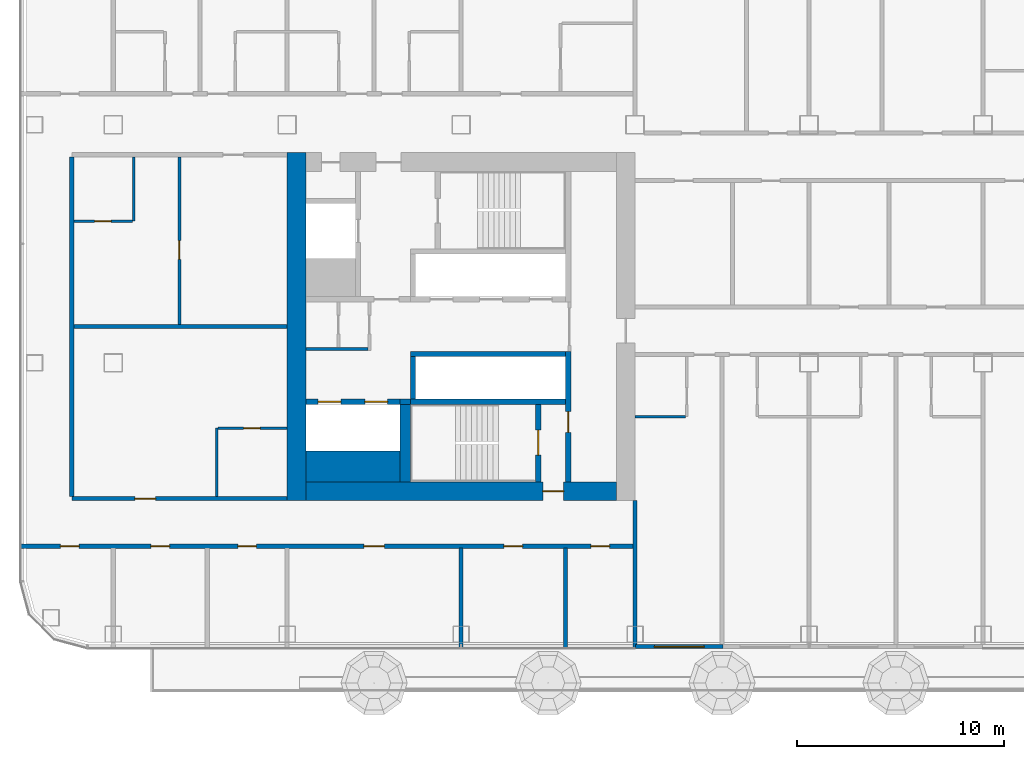
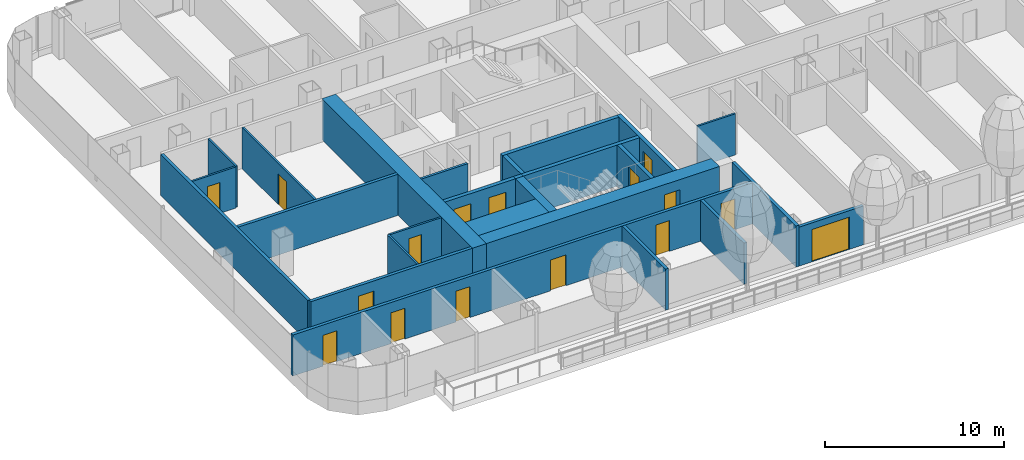
# One storey, part 13 of 34: 26 walls, 16 doors, 16 openings, 1 element without a shape of its own.
"""IFC4 building model written with IfcOpenShell, lengths in metres."""

from ifc_helpers import new_model, si_unit, direction, frame, frame_2d, origin, place, context, subcontext, project, spatial, rectangle, extrude, material, layer, layer_set, type_object, element, fill, aggregate, save


model = new_model("IFC4")

# Units and contexts
model_context = context("Model", 3, precision=1e-05, world=origin(), true_north=direction((0.0, 1.0)))
body_context = subcontext(model_context, "Body", "Model", "MODEL_VIEW")
ifc_project = project(units=[si_unit("LENGTHUNIT", "METRE"), si_unit("AREAUNIT", "SQUARE_METRE"), si_unit("VOLUMEUNIT", "CUBIC_METRE"), si_unit("PLANEANGLEUNIT", "RADIAN"), si_unit("MASSUNIT", "GRAM", prefix="KILO")], contexts=[model_context])

# Site, building, storey
site_placement = place(None, origin())
site = spatial("IfcSite", under=ifc_project, at=site_placement, CompositionType="ELEMENT")
building_placement = place(site_placement, origin())
building = spatial("IfcBuilding", under=site, at=building_placement, Name="Hakoniwa Tower and Hamabe Station Hall", CompositionType="ELEMENT")
storey_placement = place(building_placement, frame((0.0, 0.0, 94.60009765625)))
storey = spatial("IfcBuildingStorey", under=building, at=storey_placement, Name="L26", CompositionType="ELEMENT", Elevation=94.60009765625)

# Wall, opening, door
ifc_material_1 = material(Name="Gypsum board partition", Category="gypsum")
ifc_layer_1 = layer(ifc_material_1, 0.125)
ifc_layer_set_1 = layer_set([ifc_layer_1], Name="Bathroom Partition 125")
wall_type_1 = type_object("IfcWallType", Name="Bathroom Partition 125", PredefinedType="PARTITIONING", material=ifc_layer_set_1)
wall_1_placement = place(storey_placement, frame((-36.9375, -4.89990234375, 0.0), z_axis=(0.0, 0.0, 1.0), x_axis=(1.0, 0.0, 0.0)))
wall_1 = element("IfcWall", 1, at=wall_1_placement, inside=storey, type_object=wall_type_1, Name="GW-L26-005", PredefinedType="PARTITIONING", context=body_context, shape_type="SweptSolid", body=[
    extrude(rectangle(XDim=3.33740234375, YDim=0.125, at=frame_2d((1.668701171875, 0.0))), origin(), (0.0, 0.0, 1.0), 2.7998046875),
])
opening_1_placement = place(wall_1_placement, frame((1.237548828125, 0.0, 0.0)))
opening_1 = element("IfcOpeningElement", 2, at=opening_1_placement, cuts=wall_1, Name="Opening GD-G2B1-15", PredefinedType="OPENING", context=body_context, shape_type="SweptSolid", body=[
    extrude(rectangle(XDim=0.800048828125, YDim=2.10009765625, at=frame_2d((0.39990234375, 1.050048828125))), frame((0.0, 0.072509765625, 0.0), z_axis=(0.0, -1.0, 0.0), x_axis=(1.0, 0.0, 0.0)), (0.0, 0.0, 1.0), 0.14501953125),
])
ifc_material_2 = material(Name="Timber door leaf", Category="wood")
door_type_1 = type_object("IfcDoorType", Name="Bathroom Door 800", OperationType="SINGLE_SWING_LEFT", PredefinedType="DOOR", material=ifc_material_2)
door_1_placement = place(opening_1_placement, origin())
door_1 = element("IfcDoor", 3, at=door_1_placement, inside=storey, type_object=door_type_1, Name="Door GD-G2B1-15", OperationType="SINGLE_SWING_LEFT", OverallHeight=2.10009765625, OverallWidth=0.800048828125, PredefinedType="DOOR", context=body_context, shape_type="SweptSolid", body=[
    extrude(rectangle(XDim=0.800048828125, YDim=2.10009765625, at=frame_2d((0.39990234375, 1.050048828125))), frame((0.0, 0.02490234375, 0.0), z_axis=(0.0, -1.0, 0.0), x_axis=(1.0, 0.0, 0.0)), (0.0, 0.0, 1.0), 0.050048828125),
])
fill(opening_1, door_1)

# Wall
wall_2_placement = place(storey_placement, frame((-16.81005859375, -4.35009765625, 0.0), z_axis=(0.0, 0.0, 1.0), x_axis=(1.0, 0.0, 0.0)))
element("IfcWall", 4, at=wall_2_placement, inside=storey, type_object=wall_type_1, Name="GW-L26-007", PredefinedType="PARTITIONING", context=body_context, shape_type="SweptSolid", body=[
    extrude(rectangle(XDim=2.447509765625, YDim=0.125, at=frame_2d((1.2236328125, 0.0))), origin(), (0.0, 0.0, 1.0), 2.7998046875),
])

# Wall, opening, door
wall_3_placement = place(storey_placement, frame((-43.89990234375, 5.10009765625, 0.0), z_axis=(0.0, 0.0, 1.0), x_axis=(1.0, 0.0, 0.0)))
wall_3 = element("IfcWall", 5, at=wall_3_placement, inside=storey, type_object=wall_type_1, Name="GW-L26-017", PredefinedType="PARTITIONING", context=body_context, shape_type="SweptSolid", body=[
    extrude(rectangle(XDim=2.83740234375, YDim=0.125, at=frame_2d((1.418701171875, 0.0))), origin(), (0.0, 0.0, 1.0), 2.7998046875),
])
opening_2_placement = place(wall_3_placement, frame((1.0, 0.0, 0.0)))
opening_2 = element("IfcOpeningElement", 6, at=opening_2_placement, cuts=wall_3, Name="Opening GD-G2B1-30", PredefinedType="OPENING", context=body_context, shape_type="SweptSolid", body=[
    extrude(rectangle(XDim=0.800048828125, YDim=2.10009765625, at=frame_2d((0.39990234375, 1.050048828125))), frame((0.0, 0.072509765625, 0.0), z_axis=(0.0, -1.0, 0.0), x_axis=(1.0, 0.0, 0.0)), (0.0, 0.0, 1.0), 0.14501953125),
])
door_2_placement = place(opening_2_placement, origin())
door_2 = element("IfcDoor", 7, at=door_2_placement, inside=storey, type_object=door_type_1, Name="Door GD-G2B1-30", OperationType="SINGLE_SWING_LEFT", OverallHeight=2.10009765625, OverallWidth=0.800048828125, PredefinedType="DOOR", context=body_context, shape_type="SweptSolid", body=[
    extrude(rectangle(XDim=0.800048828125, YDim=2.10009765625, at=frame_2d((0.39990234375, 1.050048828125))), frame((0.0, 0.02490234375, 0.0), z_axis=(0.0, -1.0, 0.0), x_axis=(1.0, 0.0, 0.0)), (0.0, 0.0, 1.0), 0.050048828125),
])
fill(opening_2, door_2)

# Walls
wall_4_placement = place(storey_placement, frame((-41.0, 5.10009765625, 0.0), z_axis=(0.0, 0.0, 1.0), x_axis=(0.0, 1.0, 0.0)))
element("IfcWall", 8, at=wall_4_placement, inside=storey, type_object=wall_type_1, Name="GW-L26-034", PredefinedType="PARTITIONING", context=body_context, shape_type="SweptSolid", body=[
    extrude(rectangle(XDim=3.099853515625, YDim=0.125, at=frame_2d((1.5498046875, 0.0))), origin(), (0.0, 0.0, 1.0), 2.7998046875),
])
wall_5_placement = place(storey_placement, frame((-37.0, -8.199951171875, 0.0), z_axis=(0.0, 0.0, 1.0), x_axis=(0.0, 1.0, 0.0)))
element("IfcWall", 9, at=wall_5_placement, inside=storey, type_object=wall_type_1, Name="GW-L26-039", PredefinedType="PARTITIONING", context=body_context, shape_type="SweptSolid", body=[
    extrude(rectangle(XDim=3.300048828125, YDim=0.125, at=frame_2d((1.64990234375, 0.0))), origin(), (0.0, 0.0, 1.0), 2.7998046875),
])
ifc_material_3 = material(Name="Gypsum board partition")
ifc_layer_2 = layer(ifc_material_3, 0.14990234375)
ifc_layer_set_2 = layer_set([ifc_layer_2], Name="CORE PARTITION 150 EI 60")
wall_type_2 = type_object("IfcWallType", Name="CORE PARTITION 150 EI 60", PredefinedType="PARTITIONING", material=ifc_layer_set_2)
wall_6_placement = place(storey_placement, frame((-32.699951171875, -1.074951171875, 0.0), z_axis=(0.0, 0.0, 1.0), x_axis=(1.0, 0.0, 0.0)))
element("IfcWall", 10, at=wall_6_placement, inside=storey, type_object=wall_type_2, Name="Core partition PS west", PredefinedType="PARTITIONING", context=body_context, shape_type="SweptSolid", body=[
    extrude(rectangle(XDim=3.0, YDim=0.14990234375, at=frame_2d((1.5, 0.0))), origin(), (0.0, 0.0, 1.0), 2.7998046875),
])
ifc_material_4 = material(Name="Concrete C72", Category="concrete")
ifc_layer_3 = layer(ifc_material_4, 0.89990234375)
ifc_layer_set_3 = layer_set([ifc_layer_3], Name="CORE WALL 900 C72")
wall_type_3 = type_object("IfcWallType", Name="CORE WALL 900 C72", PredefinedType="SHEAR", material=ifc_layer_set_3)
wall_7_placement = place(storey_placement, frame((-33.14990234375, -8.39990234375, 0.0), z_axis=(0.0, 0.0, 1.0), x_axis=(0.0, 1.0, 0.0)))
element("IfcWall", 11, at=wall_7_placement, inside=storey, type_object=wall_type_3, Name="Core wall OUTER west", PredefinedType="SHEAR", context=body_context, shape_type="SweptSolid", body=[
    extrude(rectangle(XDim=16.7998046875, YDim=0.89990234375, at=frame_2d((8.39990234375, 0.0))), origin(), (0.0, 0.0, 1.0), 2.7998046875),
])

# Wall, opening, door
wall_8_placement = place(storey_placement, frame((-32.699951171875, -7.949951171875, 0.0), z_axis=(0.0, 0.0, 1.0), x_axis=(1.0, 0.0, 0.0)))
wall_8 = element("IfcWall", 12, at=wall_8_placement, inside=storey, type_object=wall_type_3, Name="Core wall SOUTH west", PredefinedType="SHEAR", context=body_context, shape_type="SweptSolid", body=[
    extrude(rectangle(XDim=15.0, YDim=0.89990234375, at=frame_2d((7.5, 0.0))), origin(), (0.0, 0.0, 1.0), 2.7998046875),
])
opening_3_placement = place(wall_8_placement, frame((11.449951171875, 0.0, 0.0)))
opening_3 = element("IfcOpeningElement", 13, at=opening_3_placement, cuts=wall_8, Name="Opening CD-W-FS3-10", PredefinedType="OPENING", context=body_context, shape_type="SweptSolid", body=[
    extrude(rectangle(XDim=1.0, YDim=2.10009765625, at=frame_2d((0.5, 1.050048828125))), frame((0.0, 0.4599609375, 0.0), z_axis=(0.0, -1.0, 0.0), x_axis=(1.0, 0.0, 0.0)), (0.0, 0.0, 1.0), 0.919921875),
])
ifc_material_5 = material(Name="Steel fire door", Category="steel")
door_type_2 = type_object("IfcDoorType", Name="CORE DOOR 1000 FD60", OperationType="NOTDEFINED", PredefinedType="DOOR", material=ifc_material_5)
door_3_placement = place(opening_3_placement, origin())
door_3 = element("IfcDoor", 14, at=door_3_placement, inside=storey, type_object=door_type_2, Name="Stair vestibule door", OperationType="SINGLE_SWING_LEFT", OverallHeight=2.10009765625, OverallWidth=1.0, PredefinedType="DOOR", context=body_context, shape_type="SweptSolid", body=[
    extrude(rectangle(XDim=1.0, YDim=2.10009765625, at=frame_2d((0.5, 1.050048828125))), frame((0.0, 0.02490234375, 0.0), z_axis=(0.0, -1.0, 0.0), x_axis=(1.0, 0.0, 0.0)), (0.0, 0.0, 1.0), 0.050048828125),
])
fill(opening_3, door_3)

# Wall
ifc_material_6 = material(Name="Concrete C72", Category="concrete")
ifc_layer_4 = layer(ifc_material_6, 1.5)
ifc_layer_set_4 = layer_set([ifc_layer_4], Name="CORE WEB WALL 1500 C72")
wall_type_4 = type_object("IfcWallType", Name="CORE WEB WALL 1500 C72", PredefinedType="SHEAR", material=ifc_layer_set_4)
wall_9_placement = place(storey_placement, frame((-32.699951171875, -6.75, 0.0), z_axis=(0.0, 0.0, 1.0), x_axis=(1.0, 0.0, 0.0)))
element("IfcWall", 15, at=wall_9_placement, inside=storey, type_object=wall_type_4, Name="Core wall SER west", PredefinedType="SHEAR", context=body_context, shape_type="SweptSolid", body=[
    extrude(rectangle(XDim=4.550048828125, YDim=1.5, at=frame_2d((2.27490234375, 0.0))), origin(), (0.0, 0.0, 1.0), 2.7998046875),
])

# Wall, opening, door
ifc_material_7 = material(Name="Concrete C72", Category="concrete")
ifc_layer_5 = layer(ifc_material_7, 0.25)
ifc_layer_set_5 = layer_set([ifc_layer_5], Name="CORE WEB WALL 250 C72")
wall_type_5 = type_object("IfcWallType", Name="CORE WEB WALL 250 C72", PredefinedType="SHEAR", material=ifc_layer_set_5)
wall_10_placement = place(storey_placement, frame((-20.02490234375, -7.5, 0.0), z_axis=(0.0, 0.0, 1.0), x_axis=(0.0, 1.0, 0.0)))
wall_10 = element("IfcWall", 16, at=wall_10_placement, inside=storey, type_object=wall_type_5, Name="Core wall W1S west", PredefinedType="SHEAR", context=body_context, shape_type="SweptSolid", body=[
    extrude(rectangle(XDim=6.300048828125, YDim=0.25, at=frame_2d((3.14990234375, 0.0))), origin(), (0.0, 0.0, 1.0), 2.7998046875),
])
opening_4_placement = place(wall_10_placement, frame((2.39990234375, 0.0, 0.0)))
opening_4 = element("IfcOpeningElement", 17, at=opening_4_placement, cuts=wall_10, Name="Opening CD-W-VS-10", PredefinedType="OPENING", context=body_context, shape_type="SweptSolid", body=[
    extrude(rectangle(XDim=1.0, YDim=2.10009765625, at=frame_2d((0.5, 1.050048828125))), frame((0.0, 0.135009765625, 0.0), z_axis=(0.0, -1.0, 0.0), x_axis=(1.0, 0.0, 0.0)), (0.0, 0.0, 1.0), 0.27001953125),
])
door_4_placement = place(opening_4_placement, origin())
door_4 = element("IfcDoor", 18, at=door_4_placement, inside=storey, type_object=door_type_2, Name="Stair vestibule door", OperationType="SINGLE_SWING_LEFT", OverallHeight=2.10009765625, OverallWidth=1.0, PredefinedType="DOOR", context=body_context, shape_type="SweptSolid", body=[
    extrude(rectangle(XDim=1.0, YDim=2.10009765625, at=frame_2d((0.5, 1.050048828125))), frame((0.0, 0.02490234375, 0.0), z_axis=(0.0, -1.0, 0.0), x_axis=(1.0, 0.0, 0.0)), (0.0, 0.0, 1.0), 0.050048828125),
])
fill(opening_4, door_4)

# Walls
wall_11_placement = place(storey_placement, frame((-27.64990234375, -1.324951171875, 0.0), z_axis=(0.0, 0.0, 1.0), x_axis=(1.0, 0.0, 0.0)))
element("IfcWall", 19, at=wall_11_placement, inside=storey, type_object=wall_type_5, Name="Core wall SF west", PredefinedType="SHEAR", context=body_context, shape_type="SweptSolid", body=[
    extrude(rectangle(XDim=7.5, YDim=0.25, at=frame_2d((3.75, 0.0))), origin(), (0.0, 0.0, 1.0), 2.7998046875),
])
wall_12_placement = place(storey_placement, frame((-27.52490234375, -3.5, 0.0), z_axis=(0.0, 0.0, 1.0), x_axis=(0.0, 1.0, 0.0)))
element("IfcWall", 20, at=wall_12_placement, inside=storey, type_object=wall_type_5, Name="Core wall SE west", PredefinedType="SHEAR", context=body_context, shape_type="SweptSolid", body=[
    extrude(rectangle(XDim=2.050048828125, YDim=0.25, at=frame_2d((1.02490234375, 0.0))), origin(), (0.0, 0.0, 1.0), 2.7998046875),
])
wall_13_placement = place(storey_placement, frame((-27.64990234375, -3.625, 0.0), z_axis=(0.0, 0.0, 1.0), x_axis=(1.0, 0.0, 0.0)))
element("IfcWall", 21, at=wall_13_placement, inside=storey, type_object=wall_type_5, Name="Core wall SR west", PredefinedType="SHEAR", context=body_context, shape_type="SweptSolid", body=[
    extrude(rectangle(XDim=7.5, YDim=0.25, at=frame_2d((3.75, 0.0))), origin(), (0.0, 0.0, 1.0), 2.7998046875),
])

# Wall, opening, door
wall_14_placement = place(storey_placement, frame((-21.47509765625, -7.5, 0.0), z_axis=(0.0, 0.0, 1.0), x_axis=(0.0, 1.0, 0.0)))
wall_14 = element("IfcWall", 22, at=wall_14_placement, inside=storey, type_object=wall_type_5, Name="Core wall VE west", PredefinedType="SHEAR", context=body_context, shape_type="SweptSolid", body=[
    extrude(rectangle(XDim=3.75, YDim=0.25, at=frame_2d((1.875, 0.0))), origin(), (0.0, 0.0, 1.0), 2.7998046875),
])
opening_5_placement = place(wall_14_placement, frame((1.300048828125, 0.0, 0.0)))
opening_5 = element("IfcOpeningElement", 23, at=opening_5_placement, cuts=wall_14, Name="Opening CD-W-SS-12", PredefinedType="OPENING", context=body_context, shape_type="SweptSolid", body=[
    extrude(rectangle(XDim=1.199951171875, YDim=2.10009765625, at=frame_2d((0.60009765625, 1.050048828125))), frame((0.0, 0.135009765625, 0.0), z_axis=(0.0, -1.0, 0.0), x_axis=(1.0, 0.0, 0.0)), (0.0, 0.0, 1.0), 0.27001953125),
])
ifc_material_8 = material(Name="Steel fire door", Category="steel")
door_type_3 = type_object("IfcDoorType", Name="CORE DOOR 1200 FD60", OperationType="DOUBLE_DOOR_SINGLE_SWING", PredefinedType="DOOR", material=ifc_material_8)
door_5_placement = place(opening_5_placement, origin())
door_5 = element("IfcDoor", 24, at=door_5_placement, inside=storey, type_object=door_type_3, Name="Escape stair door", OperationType="DOUBLE_DOOR_SINGLE_SWING", OverallHeight=2.10009765625, OverallWidth=1.199951171875, PredefinedType="DOOR", context=body_context, shape_type="SweptSolid", body=[
    extrude(rectangle(XDim=1.199951171875, YDim=2.10009765625, at=frame_2d((0.60009765625, 1.050048828125))), frame((0.0, 0.02490234375, 0.0), z_axis=(0.0, -1.0, 0.0), x_axis=(1.0, 0.0, 0.0)), (0.0, 0.0, 1.0), 0.050048828125),
])
fill(opening_5, door_5)

# Wall, openings, doors
wall_15_placement = place(storey_placement, frame((-32.699951171875, -3.625, 0.0), z_axis=(0.0, 0.0, 1.0), x_axis=(1.0, 0.0, 0.0)))
wall_15 = element("IfcWall", 25, at=wall_15_placement, inside=storey, type_object=wall_type_5, Name="Core wall SEF west", PredefinedType="SHEAR", context=body_context, shape_type="SweptSolid", body=[
    extrude(rectangle(XDim=4.550048828125, YDim=0.25, at=frame_2d((2.27490234375, 0.0))), origin(), (0.0, 0.0, 1.0), 2.7998046875),
])
opening_6_placement = place(wall_15_placement, frame((2.85009765625, 0.0, 0.0)))
opening_6 = element("IfcOpeningElement", 26, at=opening_6_placement, cuts=wall_15, Name="Opening LD-SV1", PredefinedType="OPENING", context=body_context, shape_type="SweptSolid", body=[
    extrude(rectangle(XDim=1.10009765625, YDim=2.10009765625, at=frame_2d((0.550048828125, 1.050048828125))), frame((0.0, 0.135009765625, 0.0), z_axis=(0.0, -1.0, 0.0), x_axis=(1.0, 0.0, 0.0)), (0.0, 0.0, 1.0), 0.27001953125),
])
opening_7_placement = place(wall_15_placement, frame((0.60009765625, 0.0, 0.0)))
opening_7 = element("IfcOpeningElement", 27, at=opening_7_placement, cuts=wall_15, Name="Opening LD-SV2", PredefinedType="OPENING", context=body_context, shape_type="SweptSolid", body=[
    extrude(rectangle(XDim=1.10009765625, YDim=2.10009765625, at=frame_2d((0.550048828125, 1.050048828125))), frame((0.0, 0.135009765625, 0.0), z_axis=(0.0, -1.0, 0.0), x_axis=(1.0, 0.0, 0.0)), (0.0, 0.0, 1.0), 0.27001953125),
])
ifc_material_9 = material(Name="Stainless steel SUS304", Category="steel")
door_type_4 = type_object("IfcDoorType", Name="LIFT LANDING DOOR 1100 FD60", OperationType="DOUBLE_DOOR_SLIDING", PredefinedType="DOOR", material=ifc_material_9)
door_6_placement = place(opening_6_placement, origin())
door_6 = element("IfcDoor", 28, at=door_6_placement, inside=storey, type_object=door_type_4, Name="Lift landing door SV1 L26", OperationType="DOUBLE_DOOR_SLIDING", OverallHeight=2.10009765625, OverallWidth=1.10009765625, PredefinedType="DOOR", context=body_context, shape_type="SweptSolid", body=[
    extrude(rectangle(XDim=1.10009765625, YDim=2.10009765625, at=frame_2d((0.550048828125, 1.050048828125))), frame((0.0, 0.02490234375, 0.0), z_axis=(0.0, -1.0, 0.0), x_axis=(1.0, 0.0, 0.0)), (0.0, 0.0, 1.0), 0.050048828125),
])
fill(opening_6, door_6)
door_7_placement = place(opening_7_placement, origin())
door_7 = element("IfcDoor", 29, at=door_7_placement, inside=storey, type_object=door_type_4, Name="Lift landing door SV2 L26", OperationType="DOUBLE_DOOR_SLIDING", OverallHeight=2.10009765625, OverallWidth=1.10009765625, PredefinedType="DOOR", context=body_context, shape_type="SweptSolid", body=[
    extrude(rectangle(XDim=1.10009765625, YDim=2.10009765625, at=frame_2d((0.550048828125, 1.050048828125))), frame((0.0, 0.02490234375, 0.0), z_axis=(0.0, -1.0, 0.0), x_axis=(1.0, 0.0, 0.0)), (0.0, 0.0, 1.0), 0.050048828125),
])
fill(opening_7, door_7)

# Walls
wall_16_placement = place(storey_placement, frame((-28.14990234375, -3.625, 0.0), z_axis=(0.0, 0.0, 1.0), x_axis=(1.0, 0.0, 0.0)))
element("IfcWall", 30, at=wall_16_placement, inside=storey, type_object=wall_type_5, Name="Core wall SRK west", PredefinedType="SHEAR", context=body_context, shape_type="SweptSolid", body=[
    extrude(rectangle(XDim=0.5, YDim=0.25, at=frame_2d((0.25, 0.0))), origin(), (0.0, 0.0, 1.0), 2.7998046875),
])
ifc_material_10 = material(Name="Concrete C72", Category="concrete")
ifc_layer_6 = layer(ifc_material_10, 0.5)
ifc_layer_set_6 = layer_set([ifc_layer_6], Name="CORE WEB WALL 500 C72")
wall_type_6 = type_object("IfcWallType", Name="CORE WEB WALL 500 C72", PredefinedType="SHEAR", material=ifc_layer_set_6)
wall_17_placement = place(storey_placement, frame((-27.89990234375, -7.5, 0.0), z_axis=(0.0, 0.0, 1.0), x_axis=(0.0, 1.0, 0.0)))
element("IfcWall", 31, at=wall_17_placement, inside=storey, type_object=wall_type_6, Name="Core wall SSE west", PredefinedType="SHEAR", context=body_context, shape_type="SweptSolid", body=[
    extrude(rectangle(XDim=3.75, YDim=0.5, at=frame_2d((1.875, 0.0))), origin(), (0.0, 0.0, 1.0), 2.7998046875),
])

# Wall, openings, doors
ifc_material_11 = material(Name="Fire-rated gypsum board partition", Category="gypsum")
ifc_layer_7 = layer(ifc_material_11, 0.199951171875)
ifc_layer_set_7 = layer_set([ifc_layer_7], Name="Corridor Wall 200")
wall_type_7 = type_object("IfcWallType", Name="Corridor Wall 200", PredefinedType="PARTITIONING", material=ifc_layer_set_7)
wall_18_placement = place(storey_placement, frame((-46.5, -10.60009765625, 0.0), z_axis=(0.0, 0.0, 1.0), x_axis=(1.0, 0.0, 0.0)))
wall_18 = element("IfcWall", 32, at=wall_18_placement, inside=storey, type_object=wall_type_7, Name="GW-L26-001", PredefinedType="PARTITIONING", context=body_context, shape_type="SweptSolid", body=[
    extrude(rectangle(XDim=29.699951171875, YDim=0.199951171875, at=frame_2d((14.85009765625, 0.0))), origin(), (0.0, 0.0, 1.0), 2.7998046875),
])
opening_8_placement = place(wall_18_placement, frame((1.949951171875, 0.0, 0.0)))
opening_8 = element("IfcOpeningElement", 33, at=opening_8_placement, cuts=wall_18, Name="Opening GD-G2B1-01", PredefinedType="OPENING", context=body_context, shape_type="SweptSolid", body=[
    extrude(rectangle(XDim=0.89990234375, YDim=2.10009765625, at=frame_2d((0.449951171875, 1.050048828125))), frame((0.0, 0.10986328125, 0.0), z_axis=(0.0, -1.0, 0.0), x_axis=(1.0, 0.0, 0.0)), (0.0, 0.0, 1.0), 0.219970703125),
])
opening_9_placement = place(wall_18_placement, frame((6.320068359375, 0.0, 0.0)))
opening_9 = element("IfcOpeningElement", 34, at=opening_9_placement, cuts=wall_18, Name="Opening GD-G2B1-02", PredefinedType="OPENING", context=body_context, shape_type="SweptSolid", body=[
    extrude(rectangle(XDim=0.89990234375, YDim=2.10009765625, at=frame_2d((0.449951171875, 1.050048828125))), frame((0.0, 0.10986328125, 0.0), z_axis=(0.0, -1.0, 0.0), x_axis=(1.0, 0.0, 0.0)), (0.0, 0.0, 1.0), 0.219970703125),
])
opening_10_placement = place(wall_18_placement, frame((10.52001953125, 0.0, 0.0)))
opening_10 = element("IfcOpeningElement", 35, at=opening_10_placement, cuts=wall_18, Name="Opening GD-G2B1-03", PredefinedType="OPENING", context=body_context, shape_type="SweptSolid", body=[
    extrude(rectangle(XDim=0.89990234375, YDim=2.10009765625, at=frame_2d((0.449951171875, 1.050048828125))), frame((0.0, 0.10986328125, 0.0), z_axis=(0.0, -1.0, 0.0), x_axis=(1.0, 0.0, 0.0)), (0.0, 0.0, 1.0), 0.219970703125),
])
opening_11_placement = place(wall_18_placement, frame((16.60009765625, 0.0, 0.0)))
opening_11 = element("IfcOpeningElement", 36, at=opening_11_placement, cuts=wall_18, Name="Opening GD-G2B1-04", PredefinedType="OPENING", context=body_context, shape_type="SweptSolid", body=[
    extrude(rectangle(XDim=1.0, YDim=2.10009765625, at=frame_2d((0.5, 1.050048828125))), frame((0.0, 0.10986328125, 0.0), z_axis=(0.0, -1.0, 0.0), x_axis=(1.0, 0.0, 0.0)), (0.0, 0.0, 1.0), 0.219970703125),
])
opening_12_placement = place(wall_18_placement, frame((23.3701171875, 0.0, 0.0)))
opening_12 = element("IfcOpeningElement", 37, at=opening_12_placement, cuts=wall_18, Name="Opening GD-G2B1-05", PredefinedType="OPENING", context=body_context, shape_type="SweptSolid", body=[
    extrude(rectangle(XDim=0.89990234375, YDim=2.10009765625, at=frame_2d((0.449951171875, 1.050048828125))), frame((0.0, 0.10986328125, 0.0), z_axis=(0.0, -1.0, 0.0), x_axis=(1.0, 0.0, 0.0)), (0.0, 0.0, 1.0), 0.219970703125),
])
opening_13_placement = place(wall_18_placement, frame((27.570068359375, 0.0, 0.0)))
opening_13 = element("IfcOpeningElement", 38, at=opening_13_placement, cuts=wall_18, Name="Opening GD-G2B1-06", PredefinedType="OPENING", context=body_context, shape_type="SweptSolid", body=[
    extrude(rectangle(XDim=0.89990234375, YDim=2.10009765625, at=frame_2d((0.449951171875, 1.050048828125))), frame((0.0, 0.10986328125, 0.0), z_axis=(0.0, -1.0, 0.0), x_axis=(1.0, 0.0, 0.0)), (0.0, 0.0, 1.0), 0.219970703125),
])
ifc_material_12 = material(Name="Timber door leaf", Category="wood")
door_type_5 = type_object("IfcDoorType", Name="Guest Entrance Door 1000", OperationType="SINGLE_SWING_LEFT", PredefinedType="DOOR", material=ifc_material_12)
door_8_placement = place(opening_11_placement, origin())
door_8 = element("IfcDoor", 39, at=door_8_placement, inside=storey, type_object=door_type_5, Name="Door GD-G2B1-04", OperationType="SINGLE_SWING_LEFT", OverallHeight=2.10009765625, OverallWidth=1.0, PredefinedType="DOOR", context=body_context, shape_type="SweptSolid", body=[
    extrude(rectangle(XDim=1.0, YDim=2.10009765625, at=frame_2d((0.5, 1.050048828125))), frame((0.0, 0.02490234375, 0.0), z_axis=(0.0, -1.0, 0.0), x_axis=(1.0, 0.0, 0.0)), (0.0, 0.0, 1.0), 0.050048828125),
])
fill(opening_11, door_8)
ifc_material_13 = material(Name="Timber door leaf", Category="wood")
door_type_6 = type_object("IfcDoorType", Name="Service Door 900", OperationType="SINGLE_SWING_LEFT", PredefinedType="DOOR", material=ifc_material_13)
door_9_placement = place(opening_8_placement, origin())
door_9 = element("IfcDoor", 40, at=door_9_placement, inside=storey, type_object=door_type_6, Name="Door GD-G2B1-01", OperationType="SINGLE_SWING_RIGHT", OverallHeight=2.10009765625, OverallWidth=0.89990234375, PredefinedType="DOOR", context=body_context, shape_type="SweptSolid", body=[
    extrude(rectangle(XDim=0.89990234375, YDim=2.10009765625, at=frame_2d((0.449951171875, 1.050048828125))), frame((0.0, 0.02490234375, 0.0), z_axis=(0.0, -1.0, 0.0), x_axis=(1.0, 0.0, 0.0)), (0.0, 0.0, 1.0), 0.050048828125),
])
fill(opening_8, door_9)
door_10_placement = place(opening_9_placement, origin())
door_10 = element("IfcDoor", 41, at=door_10_placement, inside=storey, type_object=door_type_6, Name="Door GD-G2B1-02", OperationType="SINGLE_SWING_LEFT", OverallHeight=2.10009765625, OverallWidth=0.89990234375, PredefinedType="DOOR", context=body_context, shape_type="SweptSolid", body=[
    extrude(rectangle(XDim=0.89990234375, YDim=2.10009765625, at=frame_2d((0.449951171875, 1.050048828125))), frame((0.0, 0.02490234375, 0.0), z_axis=(0.0, -1.0, 0.0), x_axis=(1.0, 0.0, 0.0)), (0.0, 0.0, 1.0), 0.050048828125),
])
fill(opening_9, door_10)
door_11_placement = place(opening_10_placement, origin())
door_11 = element("IfcDoor", 42, at=door_11_placement, inside=storey, type_object=door_type_6, Name="Door GD-G2B1-03", OperationType="SINGLE_SWING_RIGHT", OverallHeight=2.10009765625, OverallWidth=0.89990234375, PredefinedType="DOOR", context=body_context, shape_type="SweptSolid", body=[
    extrude(rectangle(XDim=0.89990234375, YDim=2.10009765625, at=frame_2d((0.449951171875, 1.050048828125))), frame((0.0, 0.02490234375, 0.0), z_axis=(0.0, -1.0, 0.0), x_axis=(1.0, 0.0, 0.0)), (0.0, 0.0, 1.0), 0.050048828125),
])
fill(opening_10, door_11)
door_12_placement = place(opening_12_placement, origin())
door_12 = element("IfcDoor", 43, at=door_12_placement, inside=storey, type_object=door_type_6, Name="Door GD-G2B1-05", OperationType="SINGLE_SWING_RIGHT", OverallHeight=2.10009765625, OverallWidth=0.89990234375, PredefinedType="DOOR", context=body_context, shape_type="SweptSolid", body=[
    extrude(rectangle(XDim=0.89990234375, YDim=2.10009765625, at=frame_2d((0.449951171875, 1.050048828125))), frame((0.0, 0.02490234375, 0.0), z_axis=(0.0, -1.0, 0.0), x_axis=(1.0, 0.0, 0.0)), (0.0, 0.0, 1.0), 0.050048828125),
])
fill(opening_12, door_12)
door_13_placement = place(opening_13_placement, origin())
door_13 = element("IfcDoor", 44, at=door_13_placement, inside=storey, type_object=door_type_6, Name="Door GD-G2B1-06", OperationType="SINGLE_SWING_LEFT", OverallHeight=2.10009765625, OverallWidth=0.89990234375, PredefinedType="DOOR", context=body_context, shape_type="SweptSolid", body=[
    extrude(rectangle(XDim=0.89990234375, YDim=2.10009765625, at=frame_2d((0.449951171875, 1.050048828125))), frame((0.0, 0.02490234375, 0.0), z_axis=(0.0, -1.0, 0.0), x_axis=(1.0, 0.0, 0.0)), (0.0, 0.0, 1.0), 0.050048828125),
])
fill(opening_13, door_13)

# Wall, opening, door
wall_19_placement = place(storey_placement, frame((-44.0, -8.300048828125, 0.0), z_axis=(0.0, 0.0, 1.0), x_axis=(1.0, 0.0, 0.0)))
wall_19 = element("IfcWall", 45, at=wall_19_placement, inside=storey, type_object=wall_type_7, Name="GW-L26-003", PredefinedType="PARTITIONING", context=body_context, shape_type="SweptSolid", body=[
    extrude(rectangle(XDim=10.39990234375, YDim=0.199951171875, at=frame_2d((5.199951171875, 0.0))), origin(), (0.0, 0.0, 1.0), 2.7998046875),
])
opening_14_placement = place(wall_19_placement, frame((3.050048828125, 0.0, 0.0)))
opening_14 = element("IfcOpeningElement", 46, at=opening_14_placement, cuts=wall_19, Name="Opening GD-G2B1-13", PredefinedType="OPENING", context=body_context, shape_type="SweptSolid", body=[
    extrude(rectangle(XDim=1.0, YDim=2.10009765625, at=frame_2d((0.5, 1.050048828125))), frame((0.0, 0.10986328125, 0.0), z_axis=(0.0, -1.0, 0.0), x_axis=(1.0, 0.0, 0.0)), (0.0, 0.0, 1.0), 0.219970703125),
])
door_14_placement = place(opening_14_placement, origin())
door_14 = element("IfcDoor", 47, at=door_14_placement, inside=storey, type_object=door_type_5, Name="Door GD-G2B1-13", OperationType="SINGLE_SWING_RIGHT", OverallHeight=2.10009765625, OverallWidth=1.0, PredefinedType="DOOR", context=body_context, shape_type="SweptSolid", body=[
    extrude(rectangle(XDim=1.0, YDim=2.10009765625, at=frame_2d((0.5, 1.050048828125))), frame((0.0, 0.02490234375, 0.0), z_axis=(0.0, -1.0, 0.0), x_axis=(1.0, 0.0, 0.0)), (0.0, 0.0, 1.0), 0.050048828125),
])
fill(opening_14, door_14)

# Curtain wall, wall, opening, door
ifc_material_14 = material(Name="Dark low-e laminated glass", Category="glass")
ifc_layer_8 = layer(ifc_material_14, 0.199951171875)
ifc_layer_set_8 = layer_set([ifc_layer_8], Name="CW-1 UNITISED GUEST")
curtain_wall_type = type_object("IfcCurtainWallType", Name="CW-1 UNITISED GUEST", PredefinedType="NOTDEFINED", material=ifc_layer_set_8)
curtain_wall_placement = place(storey_placement, origin())
curtain_wall = element("IfcCurtainWall", 48, at=curtain_wall_placement, inside=storey, type_object=curtain_wall_type, Name="CW-1 curtain wall", PredefinedType="NOTDEFINED")
ifc_material_15 = material(Name="Dark glass-faced aluminium panel", Category="aluminium")
ifc_layer_9 = layer(ifc_material_15, 0.199951171875)
ifc_layer_set_9 = layer_set([ifc_layer_9], Name="DOOR BAY WALL")
wall_type_8 = type_object("IfcWallType", Name="DOOR BAY WALL", PredefinedType="NOTDEFINED", material=ifc_layer_set_9)
wall_20_placement = place(storey_placement, frame((-16.780029296875, -15.449951171875, 0.0), z_axis=(0.0, 0.0, 1.0), x_axis=(1.0, 0.0, 0.0)))
wall_20 = element("IfcWall", 49, at=wall_20_placement, type_object=wall_type_8, Name="Door bay wall", PredefinedType="NOTDEFINED", context=body_context, shape_type="SweptSolid", body=[
    extrude(rectangle(XDim=4.219970703125, YDim=0.199951171875, at=frame_2d((2.10986328125, 0.0))), origin(), (0.0, 0.0, 1.0), 2.64990234375),
])
opening_15_placement = place(wall_20_placement, frame((0.909912109375, 0.0, 0.0)))
opening_15 = element("IfcOpeningElement", 50, at=opening_15_placement, cuts=wall_20, Name="Opening BD-S07-5", PredefinedType="OPENING", context=body_context, shape_type="SweptSolid", body=[
    extrude(rectangle(XDim=2.39990234375, YDim=2.199951171875, at=frame_2d((1.199951171875, 1.10009765625))), frame((0.0, 0.10986328125, 0.0), z_axis=(0.0, -1.0, 0.0), x_axis=(1.0, 0.0, 0.0)), (0.0, 0.0, 1.0), 0.219970703125),
])
ifc_material_16 = material(Name="Dark low-e laminated glass", Category="glass")
door_type_7 = type_object("IfcDoorType", Name="BALCONY SLIDING DOOR 2400X2200", OperationType="SLIDING_TO_LEFT", PredefinedType="DOOR", material=ifc_material_16)
door_15_placement = place(opening_15_placement, frame((2.39990234375, 0.0, 0.0), z_axis=(0.0, 0.0, 1.0), x_axis=(-1.0, 0.0, 0.0)))
door_15 = element("IfcDoor", 51, at=door_15_placement, inside=storey, type_object=door_type_7, Name="Balcony sliding door", OperationType="SLIDING_TO_LEFT", OverallHeight=2.199951171875, OverallWidth=2.39990234375, PredefinedType="DOOR", context=body_context, shape_type="SweptSolid", body=[
    extrude(rectangle(XDim=2.39990234375, YDim=2.199951171875, at=frame_2d((1.199951171875, 1.10009765625))), frame((0.0, 0.02490234375, 0.0), z_axis=(0.0, -1.0, 0.0), x_axis=(1.0, 0.0, 0.0)), (0.0, 0.0, 1.0), 0.050048828125),
])
fill(opening_15, door_15)
aggregate(curtain_wall, [wall_20])

# Walls
ifc_material_17 = material(Name="Fire-rated gypsum board partition", Category="gypsum")
ifc_layer_10 = layer(ifc_material_17, 0.199951171875)
ifc_layer_set_10 = layer_set([ifc_layer_10], Name="Party Wall 200")
wall_type_9 = type_object("IfcWallType", Name="Party Wall 200", PredefinedType="PARTITIONING", material=ifc_layer_set_10)
wall_21_placement = place(storey_placement, frame((-43.89990234375, 0.0, 0.0), z_axis=(0.0, 0.0, 1.0), x_axis=(1.0, 0.0, 0.0)))
element("IfcWall", 52, at=wall_21_placement, inside=storey, type_object=wall_type_9, Name="GW-L26-013", PredefinedType="PARTITIONING", context=body_context, shape_type="SweptSolid", body=[
    extrude(rectangle(XDim=10.2998046875, YDim=0.199951171875, at=frame_2d((5.14990234375, 0.0))), origin(), (0.0, 0.0, 1.0), 2.7998046875),
])
wall_22_placement = place(storey_placement, frame((-44.0, -8.199951171875, 0.0), z_axis=(0.0, 0.0, 1.0), x_axis=(0.0, 1.0, 0.0)))
element("IfcWall", 53, at=wall_22_placement, inside=storey, type_object=wall_type_9, Name="GW-L26-031", PredefinedType="PARTITIONING", context=body_context, shape_type="SweptSolid", body=[
    extrude(rectangle(XDim=16.39990234375, YDim=0.199951171875, at=frame_2d((8.199951171875, 0.0))), origin(), (0.0, 0.0, 1.0), 2.7998046875),
])
for number, where, z_axis, x_axis, name in (
    (54, (-25.199951171875, -15.550048828125, 0.0), (0.0, 0.0, 1.0), (0.0, 1.0, 0.0), "GW-L26-046"),
    (55, (-20.159912109375, -15.550048828125, 0.0), (0.0, 0.0, 1.0), (0.0, 1.0, 0.0), "GW-L26-049"),
):
    element("IfcWall", number, at=place(storey_placement, frame(where, z_axis=z_axis, x_axis=x_axis)), inside=storey, type_object=wall_type_9, Name=name, PredefinedType="PARTITIONING", context=body_context, shape_type="SweptSolid", body=[
        extrude(rectangle(XDim=4.85009765625, YDim=0.199951171875, at=frame_2d((2.425048828125, 0.0))), origin(), (0.0, 0.0, 1.0), 2.7998046875),
    ])
wall_23_placement = place(storey_placement, frame((-16.800048828125, -15.550048828125, 0.0), z_axis=(0.0, 0.0, 1.0), x_axis=(0.0, 1.0, 0.0)))
element("IfcWall", 56, at=wall_23_placement, inside=storey, type_object=wall_type_9, Name="GW-L26-050", PredefinedType="PARTITIONING", context=body_context, shape_type="SweptSolid", body=[
    extrude(rectangle(XDim=7.16015625, YDim=0.199951171875, at=frame_2d((3.580078125, 0.0))), origin(), (0.0, 0.0, 1.0), 2.7998046875),
])

# Wall, opening, door
ifc_material_18 = material(Name="Gypsum board partition", Category="gypsum")
ifc_layer_11 = layer(ifc_material_18, 0.125)
ifc_layer_set_11 = layer_set([ifc_layer_11], Name="Room Partition 125")
wall_type_10 = type_object("IfcWallType", Name="Room Partition 125", PredefinedType="PARTITIONING", material=ifc_layer_set_11)
wall_24_placement = place(storey_placement, frame((-38.800048828125, 0.10009765625, 0.0), z_axis=(0.0, 0.0, 1.0), x_axis=(0.0, 1.0, 0.0)))
wall_24 = element("IfcWall", 57, at=wall_24_placement, inside=storey, type_object=wall_type_10, Name="GW-L26-036", PredefinedType="PARTITIONING", context=body_context, shape_type="SweptSolid", body=[
    extrude(rectangle(XDim=8.099853515625, YDim=0.125, at=frame_2d((4.0498046875, 0.0))), origin(), (0.0, 0.0, 1.0), 2.7998046875),
])
opening_16_placement = place(wall_24_placement, frame((3.14990234375, 0.0, 0.0)))
opening_16 = element("IfcOpeningElement", 58, at=opening_16_placement, cuts=wall_24, Name="Opening GD-G2B1-56", PredefinedType="OPENING", context=body_context, shape_type="SweptSolid", body=[
    extrude(rectangle(XDim=0.89990234375, YDim=2.10009765625, at=frame_2d((0.449951171875, 1.050048828125))), frame((0.0, 0.072509765625, 0.0), z_axis=(0.0, -1.0, 0.0), x_axis=(1.0, 0.0, 0.0)), (0.0, 0.0, 1.0), 0.14501953125),
])
ifc_material_19 = material(Name="Timber door leaf", Category="wood")
door_type_8 = type_object("IfcDoorType", Name="Suite Interior Door 900", OperationType="SINGLE_SWING_LEFT", PredefinedType="DOOR", material=ifc_material_19)
door_16_placement = place(opening_16_placement, origin())
door_16 = element("IfcDoor", 59, at=door_16_placement, inside=storey, type_object=door_type_8, Name="Door GD-G2B1-56", OperationType="SINGLE_SWING_LEFT", OverallHeight=2.10009765625, OverallWidth=0.89990234375, PredefinedType="DOOR", context=body_context, shape_type="SweptSolid", body=[
    extrude(rectangle(XDim=0.89990234375, YDim=2.10009765625, at=frame_2d((0.449951171875, 1.050048828125))), frame((0.0, 0.02490234375, 0.0), z_axis=(0.0, -1.0, 0.0), x_axis=(1.0, 0.0, 0.0)), (0.0, 0.0, 1.0), 0.050048828125),
])
fill(opening_16, door_16)

save(model, "model.ifc")
